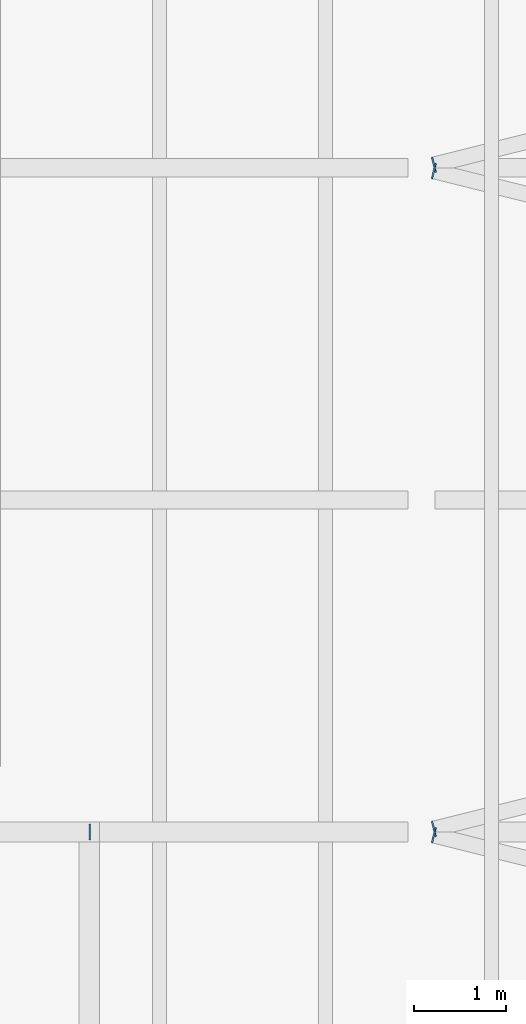
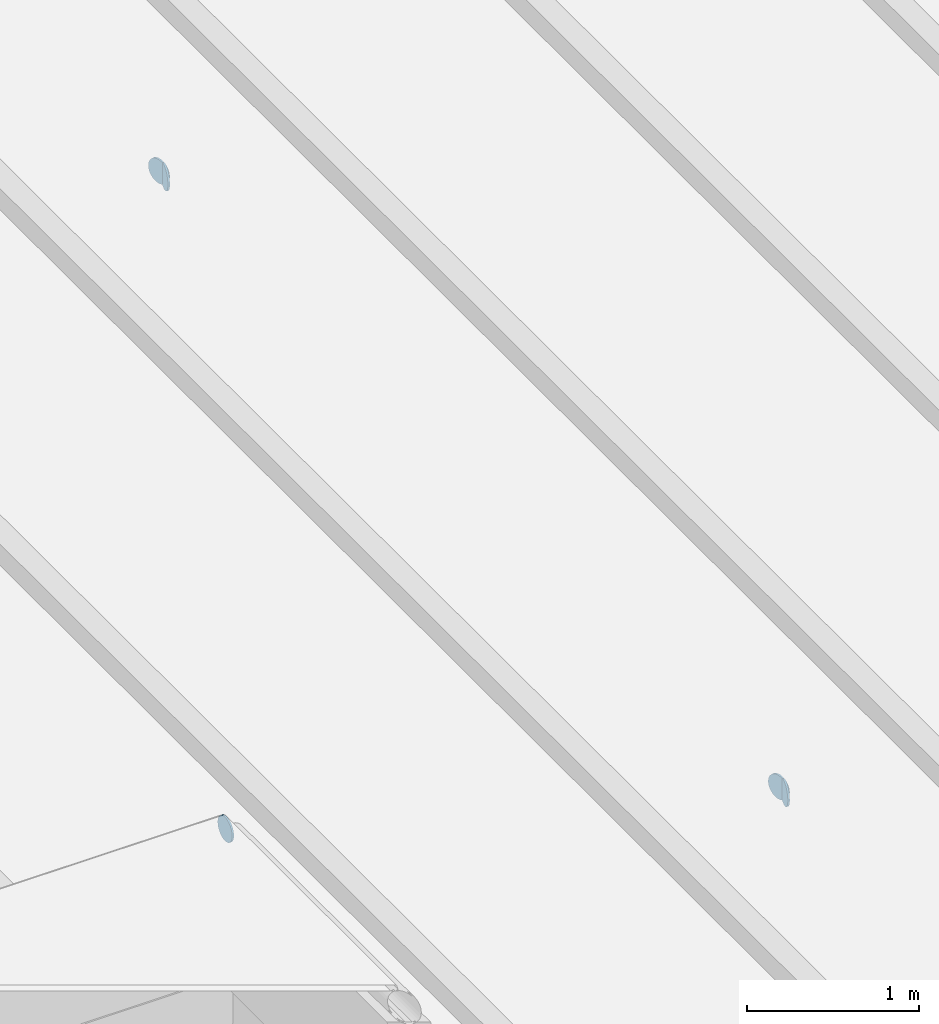
# One storey, part 108 of 120: 5 discrete accessories.
"""IFC4 building model written with IfcOpenShell, lengths in metres."""

from ifc_helpers import new_model, si_unit, direction, frame, origin, origin_2d, place, context, subcontext, project, spatial, circle, extrude, material, layer, layer_set, type_object, element, save


model = new_model("IFC4")

# Units and contexts
model_context = context("Model", 3, precision=1e-05, world=origin(), true_north=direction((0.0, 1.0)))
body_context = subcontext(model_context, "Body", "Model", "MODEL_VIEW")
ifc_project = project(units=[si_unit("LENGTHUNIT", "METRE"), si_unit("AREAUNIT", "SQUARE_METRE"), si_unit("VOLUMEUNIT", "CUBIC_METRE"), si_unit("PLANEANGLEUNIT", "RADIAN"), si_unit("MASSUNIT", "GRAM", prefix="KILO")], contexts=[model_context])

# Site, building, storey
site_placement = place(None, origin())
site = spatial("IfcSite", under=ifc_project, at=site_placement, CompositionType="ELEMENT")
building_placement = place(site_placement, origin())
building = spatial("IfcBuilding", under=site, at=building_placement, Name="Kupolbacken Congress Centre", CompositionType="ELEMENT")
storey_placement = place(building_placement, frame((0.0, 0.0, 21.60009765625)))
storey = spatial("IfcBuildingStorey", under=building, at=storey_placement, Name="L06", CompositionType="ELEMENT", Elevation=21.60009765625)

# Discrete accessories
ifc_material = material(Name="Steel S355", Category="steel")
ifc_layer = layer(ifc_material, 0.011962890625)
ifc_layer_set = layer_set([ifc_layer], Name="Steel S355")
discrete_accessory_type = type_object("IfcDiscreteAccessoryType", Name="EC2 tube end cap plate 168 dia x 12", PredefinedType="BRACKET", material=ifc_layer_set)
for number, where, z_axis, x_axis, name in (
    (1, (151.3408203125, 104.36474609375, -0.084228515625), (-0.970142500145, 0.242535625036, 0.0), (-0.242535625036, -0.970142500145, 0.0), "End cap plate HR/RB/05-16 B"),
    (2, (151.3408203125, 104.435302734375, -0.084228515625), (-0.970142500145, -0.242535625036, 0.0), (0.242535625036, -0.970142500145, 0.0), "End cap plate HR/RB/05-17 A"),
    (3, (151.3408203125, 111.564697265625, -0.084228515625), (-0.970142500145, 0.242535625036, 0.0), (-0.242535625036, -0.970142500145, 0.0), "End cap plate HR/RB/05-18 B"),
    (4, (151.3408203125, 111.63525390625, -0.084228515625), (-0.970142500145, -0.242535625036, 0.0), (0.242535625036, -0.970142500145, 0.0), "End cap plate HR/RB/05-19 A"),
    (5, (147.60009765625, 104.39990234375, 0.944091796875), (1.0, 0.0, 0.0), (0.0, 1.0, 0.0), "End cap plate RD/RL6/FN B"),
):
    element("IfcDiscreteAccessory", number, at=place(storey_placement, frame(where, z_axis=z_axis, x_axis=x_axis)), inside=storey, type_object=discrete_accessory_type, Name=name, PredefinedType="BRACKET", context=body_context, shape_type="SweptSolid", body=[
        extrude(circle(Radius=0.084228515625, at=origin_2d()), origin(), (0.0, 0.0, 1.0), 0.011962890625),
    ])

save(model, "model.ifc")
